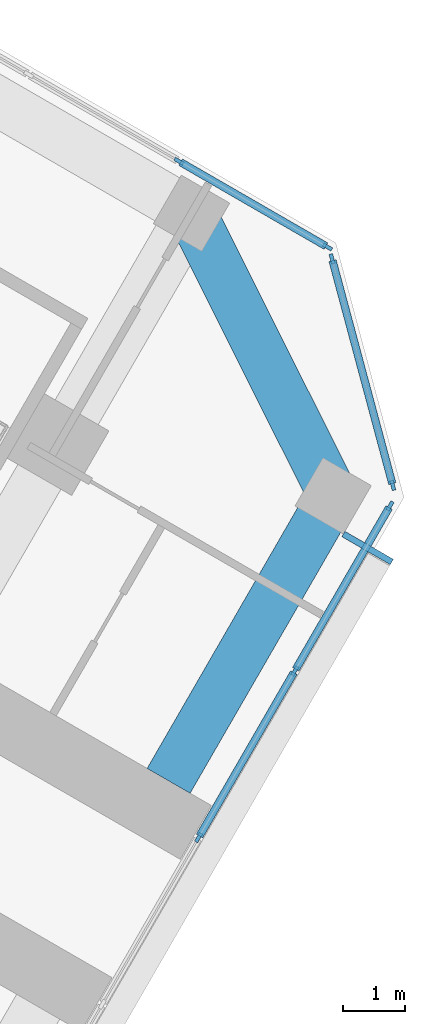
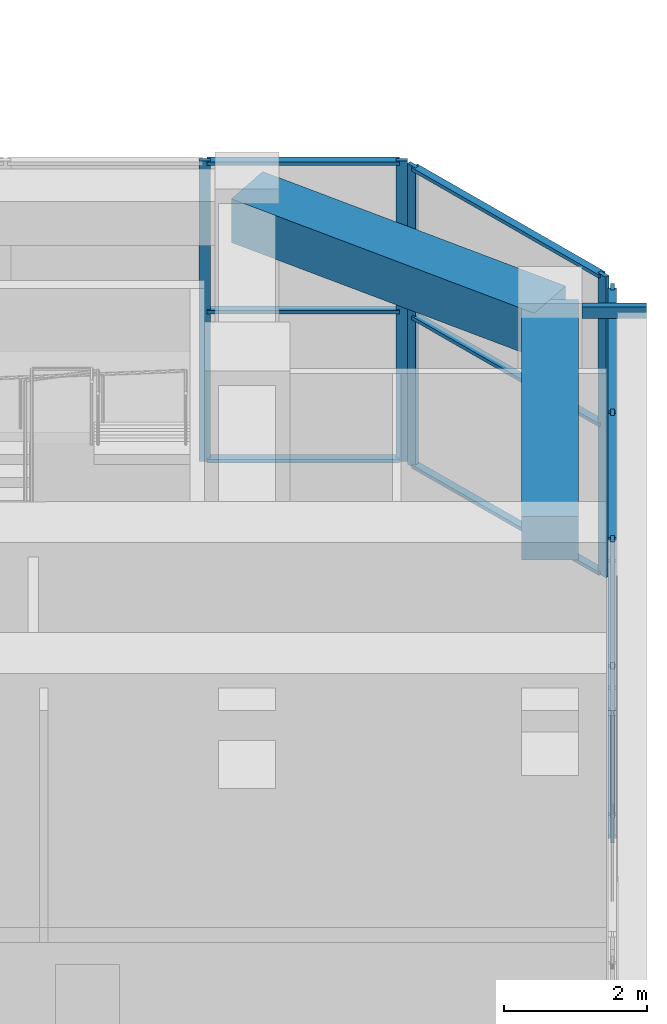
# One storey, part 10 of 23: 20 members, 2 beams, 3 elements without a shape of their own.
"""IFC4 building model written with IfcOpenShell, lengths in metres."""

from ifc_helpers import new_model, si_unit, direction, frame, origin, origin_2d, place, context, subcontext, project, spatial, rectangle, hollow_rectangle, extrude, material, material_profile, profile_set, type_object, element, aggregate, save


model = new_model("IFC4")

# Units and contexts
model_context = context("Model", 3, precision=1e-05, world=origin(), true_north=direction((0.0, 1.0)))
body_context = subcontext(model_context, "Body", "Model", "MODEL_VIEW")
ifc_project = project(units=[si_unit("LENGTHUNIT", "METRE"), si_unit("AREAUNIT", "SQUARE_METRE"), si_unit("VOLUMEUNIT", "CUBIC_METRE"), si_unit("PLANEANGLEUNIT", "RADIAN"), si_unit("MASSUNIT", "GRAM", prefix="KILO")], contexts=[model_context])

# Site, building, storey
site_placement = place(None, origin())
site = spatial("IfcSite", under=ifc_project, at=site_placement, CompositionType="ELEMENT")
building_placement = place(site_placement, origin())
building = spatial("IfcBuilding", under=site, at=building_placement, Name="Kosmar Iwan School Tower", CompositionType="ELEMENT")
storey_placement = place(building_placement, frame((0.0, 0.0, 75.39990234375)))
storey = spatial("IfcBuildingStorey", under=building, at=storey_placement, Name="L18", CompositionType="ELEMENT", Elevation=75.39990234375)

# Member
ifc_material_1 = material(Name="Steel S355", Category="steel")
ifc_material_profile_1 = material_profile(ifc_material_1, hollow_rectangle(XDim=0.10009765625, YDim=0.199951171875, WallThickness=0.008056640625, at=origin_2d()), Name="RHS 200x100x8")
ifc_profile_set_1 = profile_set([ifc_material_profile_1], Name="Steel S355")
member_type_1 = type_object("IfcMemberType", Name="Fin bracket RHS 200x100", PredefinedType="USERDEFINED", material=ifc_profile_set_1)
member_1_placement = place(storey_placement, frame((32.963134765625, -11.006103515625, 5.275146484375), z_axis=(0.866081705922, -0.499902469156, 0.0), x_axis=(0.499902469156, 0.866081705922, 0.0)))
element("IfcMember", 1, at=member_1_placement, inside=storey, type_object=member_type_1, Name="Fin bracket L19", ObjectType="FIN BRACKET", PredefinedType="USERDEFINED", context=body_context, shape_type="SweptSolid", body=[
    extrude(hollow_rectangle(XDim=0.10009765625, YDim=0.199951171875, WallThickness=0.008056640625, at=origin_2d()), origin(), (0.0, 0.0, 1.0), 0.900146484375),
])

# Curtain wall, members
ifc_material_2 = material(Name="Dark glass in black aluminium frame", Category="aluminium")
curtain_wall_type_1 = type_object("IfcCurtainWallType", Name="Tower curtain wall dark glass", PredefinedType="USERDEFINED", material=ifc_material_2)
curtain_wall_1_placement = place(storey_placement, origin())
curtain_wall_1 = element("IfcCurtainWall", 2, at=curtain_wall_1_placement, inside=storey, type_object=curtain_wall_type_1, Name="Curtain wall L18-F03", ObjectType="UNITISED CURTAIN WALL", PredefinedType="USERDEFINED")
ifc_material_3 = material(Name="Black anodised aluminium", Category="aluminium")
ifc_material_profile_2 = material_profile(ifc_material_3, rectangle(XDim=0.06005859375, YDim=0.159912109375, at=origin_2d()), Name="MULLION 60x160")
ifc_profile_set_2 = profile_set([ifc_material_profile_2], Name="Black anodised aluminium")
member_type_2 = type_object("IfcMemberType", Name="Mullion 60x160", PredefinedType="MULLION", material=ifc_profile_set_2)
member_2_placement = place(storey_placement, frame((30.631103515625, -15.8955078125, 0.0), z_axis=(0.0, 0.0, 1.0), x_axis=(-0.866025405329, 0.499999997325, 0.0)))
member_2 = element("IfcMember", 3, at=member_2_placement, type_object=member_type_2, Name="CW1 mullion 4", PredefinedType="MULLION", context=body_context, shape_type="SweptSolid", body=[
    extrude(rectangle(XDim=0.06005859375, YDim=0.159912109375, at=origin_2d()), origin(), (0.0, 0.0, 1.0), 5.150146484375),
])
member_3_placement = place(storey_placement, frame((32.1806640625, -13.21142578125, 0.0), z_axis=(0.0, 0.0, 1.0), x_axis=(-0.866025405329, 0.499999997325, 0.0)))
member_3 = element("IfcMember", 4, at=member_3_placement, type_object=member_type_2, Name="CW1 mullion 5", PredefinedType="MULLION", context=body_context, shape_type="SweptSolid", body=[
    extrude(rectangle(XDim=0.06005859375, YDim=0.159912109375, at=origin_2d()), origin(), (0.0, 0.0, 1.0), 5.150146484375),
])
member_4_placement = place(storey_placement, frame((33.71533203125, -10.55322265625, 0.0), z_axis=(0.0, 0.0, 1.0), x_axis=(-0.866025405329, 0.499999997325, 0.0)))
member_4 = element("IfcMember", 5, at=member_4_placement, type_object=member_type_2, Name="CW1 mullion 6", PredefinedType="MULLION", context=body_context, shape_type="SweptSolid", body=[
    extrude(rectangle(XDim=0.06005859375, YDim=0.159912109375, at=origin_2d()), origin(), (0.0, 0.0, 1.0), 5.150146484375),
])

ifc_material_4 = material(Name="Dark glass in black aluminium frame", Category="aluminium")
curtain_wall_type_2 = type_object("IfcCurtainWallType", Name="Chamfer curtain wall dark glass", PredefinedType="USERDEFINED", material=ifc_material_4)
curtain_wall_2_placement = place(storey_placement, origin())
curtain_wall_2 = element("IfcCurtainWall", 6, at=curtain_wall_2_placement, inside=storey, type_object=curtain_wall_type_2, Name="Curtain wall L18-F04", ObjectType="FACETED CURTAIN WALL", PredefinedType="USERDEFINED")
member_5_placement = place(storey_placement, frame((33.7587890625, -10.2236328125, 0.0), z_axis=(0.0, 0.0, 1.0), x_axis=(-0.965925875495, -0.258818861462, 0.0)))
member_5 = element("IfcMember", 7, at=member_5_placement, type_object=member_type_2, Name="CW2 mullion 1", PredefinedType="MULLION", context=body_context, shape_type="SweptSolid", body=[
    extrude(rectangle(XDim=0.06005859375, YDim=0.159912109375, at=origin_2d()), origin(), (0.0, 0.0, 1.0), 5.150146484375),
])
member_6_placement = place(storey_placement, frame((32.78076171875, -6.5732421875, 0.0), z_axis=(0.0, 0.0, 1.0), x_axis=(-0.965925875495, -0.258818861462, 0.0)))
member_6 = element("IfcMember", 8, at=member_6_placement, type_object=member_type_2, Name="CW2 mullion 2", PredefinedType="MULLION", context=body_context, shape_type="SweptSolid", body=[
    extrude(rectangle(XDim=0.06005859375, YDim=0.159912109375, at=origin_2d()), origin(), (0.0, 0.0, 1.0), 5.150146484375),
])

ifc_material_5 = material(Name="Dark glass in black aluminium frame", Category="aluminium")
curtain_wall_type_3 = type_object("IfcCurtainWallType", Name="Winter garden curtain wall", PredefinedType="USERDEFINED", material=ifc_material_5)
curtain_wall_3_placement = place(storey_placement, origin())
curtain_wall_3 = element("IfcCurtainWall", 9, at=curtain_wall_3_placement, inside=storey, type_object=curtain_wall_type_3, Name="Curtain wall L18-F05", ObjectType="WINTER GARDEN CURTAIN WALL", PredefinedType="USERDEFINED")
member_7_placement = place(storey_placement, frame((30.31494140625, -5.002685546875, 0.0), z_axis=(0.0, 0.0, 1.0), x_axis=(0.500000014888, 0.866025395189, 0.0)))
member_7 = element("IfcMember", 10, at=member_7_placement, type_object=member_type_2, Name="CW7 mullion 9", PredefinedType="MULLION", context=body_context, shape_type="SweptSolid", body=[
    extrude(rectangle(XDim=0.06005859375, YDim=0.159912109375, at=origin_2d()), origin(), (0.0, 0.0, 1.0), 5.150146484375),
])
member_8_placement = place(storey_placement, frame((32.7080078125, -6.38427734375, 0.0), z_axis=(0.0, 0.0, 1.0), x_axis=(0.500000014888, 0.866025395189, 0.0)))
member_8 = element("IfcMember", 11, at=member_8_placement, type_object=member_type_2, Name="CW7 mullion 10", PredefinedType="MULLION", context=body_context, shape_type="SweptSolid", body=[
    extrude(rectangle(XDim=0.06005859375, YDim=0.159912109375, at=origin_2d()), origin(), (0.0, 0.0, 1.0), 5.150146484375),
])

# Beams
ifc_material_6 = material(Name="Concrete C50/60", Category="concrete")
ifc_material_profile_3 = material_profile(ifc_material_6, rectangle(XDim=0.800048828125, YDim=0.75, at=origin_2d()), Name="RC 800x750")
ifc_profile_set_3 = profile_set([ifc_material_profile_3], Name="Concrete C50/60")
beam_type = type_object("IfcBeamType", Name="RC tip beam 800x750", PredefinedType="BEAM", material=ifc_profile_set_3)
beam_1_placement = place(storey_placement, frame((30.517822265625, -5.841552734375, 4.775146484375), z_axis=(0.44809604203, -0.893985423325, 0.0), x_axis=(0.893985423325, 0.44809604203, 0.0)))
element("IfcBeam", 12, at=beam_1_placement, inside=storey, type_object=beam_type, Name="Tip beam CL", PredefinedType="BEAM", context=body_context, shape_type="SweptSolid", body=[
    extrude(rectangle(XDim=0.800048828125, YDim=0.75, at=origin_2d()), origin(), (0.0, 0.0, 1.0), 5.08935546875),
])
beam_2_placement = place(storey_placement, frame((32.79833984375, -10.391357421875, 4.775146484375), z_axis=(-0.499973660256, -0.866040610509, 0.0), x_axis=(0.866040610509, -0.499973660256, 0.0)))
element("IfcBeam", 13, at=beam_2_placement, inside=storey, type_object=beam_type, Name="Tip beam CL to corridor wall", PredefinedType="BEAM", context=body_context, shape_type="SweptSolid", body=[
    extrude(rectangle(XDim=0.800048828125, YDim=0.75, at=origin_2d()), origin(), (0.0, 0.0, 1.0), 5.300048828125),
])

# Member
ifc_material_7 = material(Name="Black anodised aluminium", Category="aluminium")
ifc_material_profile_4 = material_profile(ifc_material_7, rectangle(XDim=0.1201171875, YDim=0.06005859375, at=origin_2d()), Name="TRANSOM 60x120")
ifc_profile_set_4 = profile_set([ifc_material_profile_4], Name="Black anodised aluminium")
member_type_3 = type_object("IfcMemberType", Name="Transom 60x120", PredefinedType="USERDEFINED", material=ifc_profile_set_4)
member_9_placement = place(storey_placement, frame((30.64599609375, -15.869384765625, 0.030029296875), z_axis=(0.500035348339, 0.866004994449, 0.0), x_axis=(-0.866004994449, 0.500035348339, 0.0)))
member_9 = element("IfcMember", 14, at=member_9_placement, type_object=member_type_3, Name="CW1 transom 4.1", ObjectType="TRANSOM", PredefinedType="USERDEFINED", context=body_context, shape_type="SweptSolid", body=[
    extrude(rectangle(XDim=0.1201171875, YDim=0.06005859375, at=origin_2d()), origin(), (0.0, 0.0, 1.0), 3.039306640625),
])

member_10_placement = place(storey_placement, frame((30.64599609375, -15.869384765625, 2.5751953125), z_axis=(0.500035348339, 0.866004994449, 0.0), x_axis=(-0.866004994449, 0.500035348339, 0.0)))
member_10 = element("IfcMember", 15, at=member_10_placement, type_object=member_type_3, Name="CW1 transom 4.2", ObjectType="TRANSOM", PredefinedType="USERDEFINED", context=body_context, shape_type="SweptSolid", body=[
    extrude(rectangle(XDim=0.1201171875, YDim=0.06005859375, at=origin_2d()), origin(), (0.0, 0.0, 1.0), 3.039306640625),
])

member_11_placement = place(storey_placement, frame((30.64599609375, -15.869384765625, 5.1201171875), z_axis=(0.500035348339, 0.866004994449, 0.0), x_axis=(-0.866004994449, 0.500035348339, 0.0)))
member_11 = element("IfcMember", 16, at=member_11_placement, type_object=member_type_3, Name="CW1 transom 4.3", ObjectType="TRANSOM", PredefinedType="USERDEFINED", context=body_context, shape_type="SweptSolid", body=[
    extrude(rectangle(XDim=0.1201171875, YDim=0.06005859375, at=origin_2d()), origin(), (0.0, 0.0, 1.0), 3.039306640625),
])

member_12_placement = place(storey_placement, frame((32.19580078125, -13.185302734375, 0.030029296875), z_axis=(0.500022102064, 0.866012642776, 0.0), x_axis=(-0.866012642776, 0.500022102064, 0.0)))
member_12 = element("IfcMember", 17, at=member_12_placement, type_object=member_type_3, Name="CW1 transom 5.1", ObjectType="TRANSOM", PredefinedType="USERDEFINED", context=body_context, shape_type="SweptSolid", body=[
    extrude(rectangle(XDim=0.1201171875, YDim=0.06005859375, at=origin_2d()), origin(), (0.0, 0.0, 1.0), 3.009033203125),
])

member_13_placement = place(storey_placement, frame((32.19580078125, -13.185302734375, 2.5751953125), z_axis=(0.500022102064, 0.866012642776, 0.0), x_axis=(-0.866012642776, 0.500022102064, 0.0)))
member_13 = element("IfcMember", 18, at=member_13_placement, type_object=member_type_3, Name="CW1 transom 5.2", ObjectType="TRANSOM", PredefinedType="USERDEFINED", context=body_context, shape_type="SweptSolid", body=[
    extrude(rectangle(XDim=0.1201171875, YDim=0.06005859375, at=origin_2d()), origin(), (0.0, 0.0, 1.0), 3.009033203125),
])

member_14_placement = place(storey_placement, frame((32.19580078125, -13.185302734375, 5.1201171875), z_axis=(0.500022102064, 0.866012642776, 0.0), x_axis=(-0.866012642776, 0.500022102064, 0.0)))
member_14 = element("IfcMember", 19, at=member_14_placement, type_object=member_type_3, Name="CW1 transom 5.3", ObjectType="TRANSOM", PredefinedType="USERDEFINED", context=body_context, shape_type="SweptSolid", body=[
    extrude(rectangle(XDim=0.1201171875, YDim=0.06005859375, at=origin_2d()), origin(), (0.0, 0.0, 1.0), 3.009033203125),
])

aggregate(curtain_wall_1, [member_2, member_3, member_4, member_9, member_10, member_11, member_12, member_13, member_14])

member_15_placement = place(storey_placement, frame((33.7509765625, -10.194580078125, 0.030029296875), z_axis=(-0.258843273983, 0.965919333854, 0.0), x_axis=(-0.965919333854, -0.258843273983, 0.0)))
member_15 = element("IfcMember", 20, at=member_15_placement, type_object=member_type_3, Name="CW2 transom 1.1", ObjectType="TRANSOM", PredefinedType="USERDEFINED", context=body_context, shape_type="SweptSolid", body=[
    extrude(rectangle(XDim=0.1201171875, YDim=0.06005859375, at=origin_2d()), origin(), (0.0, 0.0, 1.0), 3.718994140625),
])

member_16_placement = place(storey_placement, frame((33.7509765625, -10.194580078125, 2.5751953125), z_axis=(-0.258843273983, 0.965919333854, 0.0), x_axis=(-0.965919333854, -0.258843273983, 0.0)))
member_16 = element("IfcMember", 21, at=member_16_placement, type_object=member_type_3, Name="CW2 transom 1.2", ObjectType="TRANSOM", PredefinedType="USERDEFINED", context=body_context, shape_type="SweptSolid", body=[
    extrude(rectangle(XDim=0.1201171875, YDim=0.06005859375, at=origin_2d()), origin(), (0.0, 0.0, 1.0), 3.718994140625),
])

member_17_placement = place(storey_placement, frame((33.7509765625, -10.194580078125, 5.1201171875), z_axis=(-0.258843273983, 0.965919333854, 0.0), x_axis=(-0.965919333854, -0.258843273983, 0.0)))
member_17 = element("IfcMember", 22, at=member_17_placement, type_object=member_type_3, Name="CW2 transom 1.3", ObjectType="TRANSOM", PredefinedType="USERDEFINED", context=body_context, shape_type="SweptSolid", body=[
    extrude(rectangle(XDim=0.1201171875, YDim=0.06005859375, at=origin_2d()), origin(), (0.0, 0.0, 1.0), 3.718994140625),
])

aggregate(curtain_wall_2, [member_5, member_6, member_15, member_16, member_17])

member_18_placement = place(storey_placement, frame((30.341064453125, -5.017822265625, 0.030029296875), z_axis=(0.866033683985, -0.499985657998, 0.0), x_axis=(0.499985657998, 0.866033683985, 0.0)))
member_18 = element("IfcMember", 23, at=member_18_placement, type_object=member_type_3, Name="CW7 transom 9.1", ObjectType="TRANSOM", PredefinedType="USERDEFINED", context=body_context, shape_type="SweptSolid", body=[
    extrude(rectangle(XDim=0.1201171875, YDim=0.06005859375, at=origin_2d()), origin(), (0.0, 0.0, 1.0), 2.703125),
])

member_19_placement = place(storey_placement, frame((30.341064453125, -5.017822265625, 2.5751953125), z_axis=(0.866033683985, -0.499985657998, 0.0), x_axis=(0.499985657998, 0.866033683985, 0.0)))
member_19 = element("IfcMember", 24, at=member_19_placement, type_object=member_type_3, Name="CW7 transom 9.2", ObjectType="TRANSOM", PredefinedType="USERDEFINED", context=body_context, shape_type="SweptSolid", body=[
    extrude(rectangle(XDim=0.1201171875, YDim=0.06005859375, at=origin_2d()), origin(), (0.0, 0.0, 1.0), 2.703125),
])

member_20_placement = place(storey_placement, frame((30.341064453125, -5.017822265625, 5.1201171875), z_axis=(0.866033683985, -0.499985657998, 0.0), x_axis=(0.499985657998, 0.866033683985, 0.0)))
member_20 = element("IfcMember", 25, at=member_20_placement, type_object=member_type_3, Name="CW7 transom 9.3", ObjectType="TRANSOM", PredefinedType="USERDEFINED", context=body_context, shape_type="SweptSolid", body=[
    extrude(rectangle(XDim=0.1201171875, YDim=0.06005859375, at=origin_2d()), origin(), (0.0, 0.0, 1.0), 2.703125),
])

aggregate(curtain_wall_3, [member_7, member_8, member_18, member_19, member_20])

save(model, "model.ifc")
